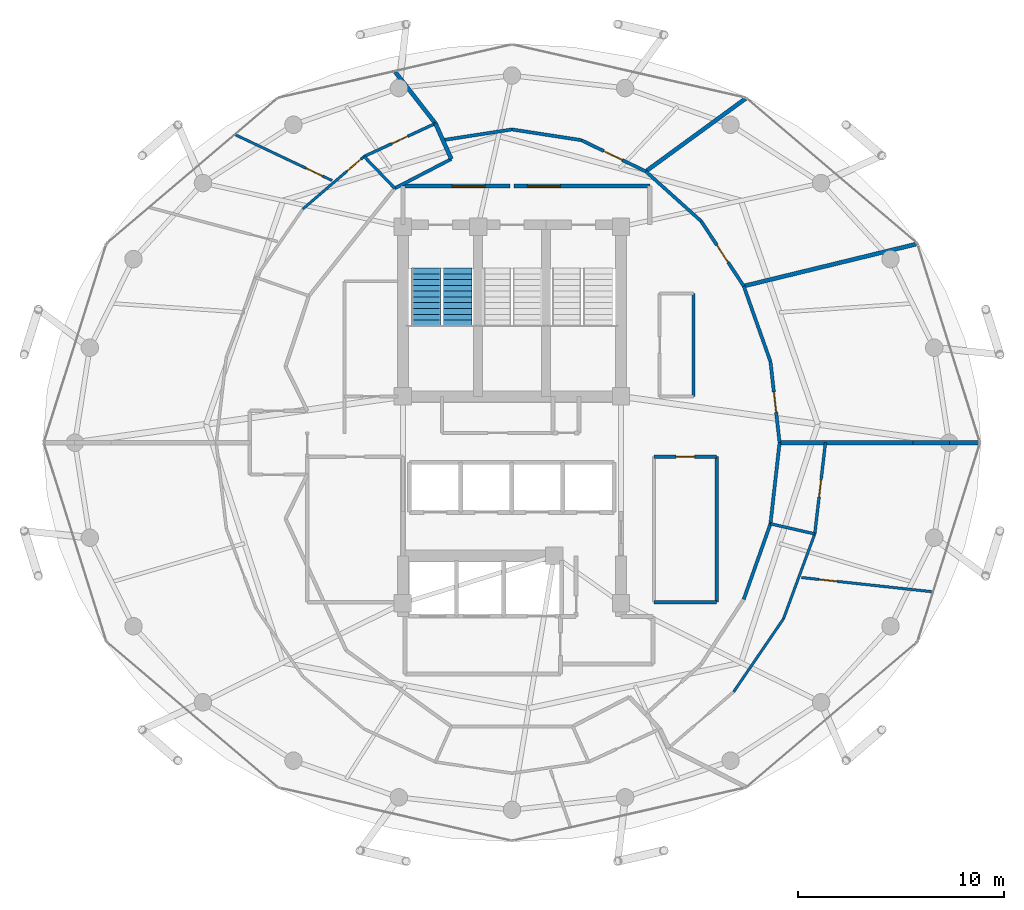
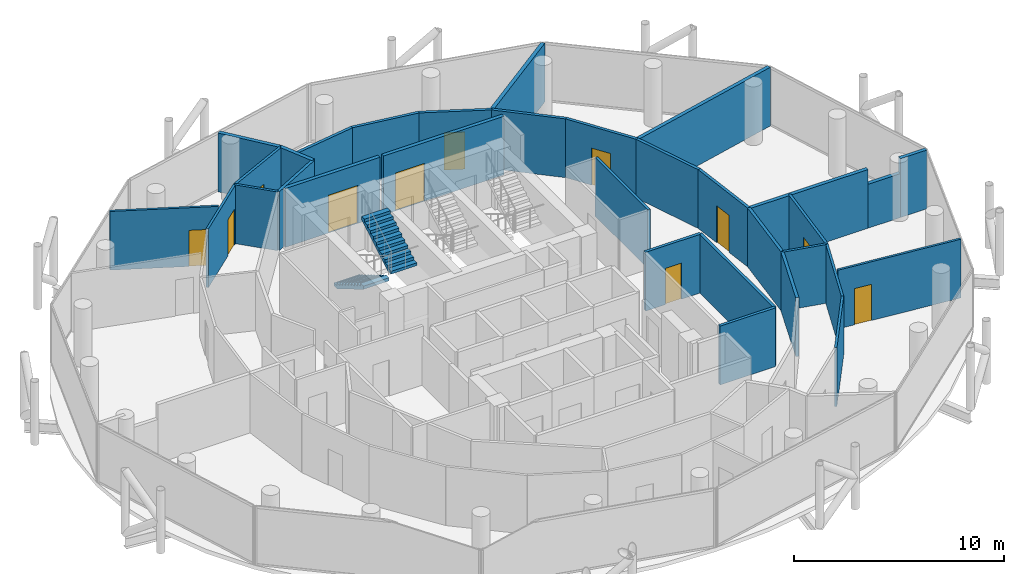
# One storey, part 25 of 27: 32 walls, 11 doors, 2 stair flights, 11 openings, 1 element without a shape of its own.
"""IFC4 building model written with IfcOpenShell, lengths in metres."""

from ifc_helpers import new_model, si_unit, direction, frame, frame_2d, origin, place, context, subcontext, project, spatial, polyline, rectangle, outline, extrude, material, layer, layer_set, type_object, element, fill, aggregate, save


model = new_model("IFC4")

# Units and contexts
model_context = context("Model", 3, precision=1e-05, world=origin(), true_north=direction((0.0, 1.0)))
body_context = subcontext(model_context, "Body", "Model", "MODEL_VIEW")
ifc_project = project(units=[si_unit("LENGTHUNIT", "METRE"), si_unit("AREAUNIT", "SQUARE_METRE"), si_unit("VOLUMEUNIT", "CUBIC_METRE"), si_unit("PLANEANGLEUNIT", "RADIAN"), si_unit("MASSUNIT", "GRAM", prefix="KILO")], contexts=[model_context])

# Site, building, storey
site_placement = place(None, origin())
site = spatial("IfcSite", under=ifc_project, at=site_placement, CompositionType="ELEMENT")
building_placement = place(site_placement, origin())
building = spatial("IfcBuilding", under=site, at=building_placement, Name="Nuhasar Tower", CompositionType="ELEMENT")
storey_placement = place(building_placement, frame((0.0, 0.0, 226.39990234375)))
storey = spatial("IfcBuildingStorey", under=building, at=storey_placement, Name="L55", CompositionType="ELEMENT", Elevation=226.39990234375)

# Walls
ifc_material_1 = material(Name="Gypsum Board", Category="gypsum")
ifc_layer_1 = layer(ifc_material_1, 0.159912109375)
ifc_layer_set_1 = layer_set([ifc_layer_1], Name="Gypsum Board")
wall_type_1 = type_object("IfcWallType", Name="WL-CORR-160", PredefinedType="PARTITIONING", material=ifc_layer_set_1)
wall_1_placement = place(storey_placement, frame((45.89990234375, 19.050048828125, 0.0), z_axis=(0.0, 0.0, 1.0), x_axis=(1.0, 0.0, 0.0)))
element("IfcWall", 1, at=wall_1_placement, inside=storey, type_object=wall_type_1, Name="L55 Interior Partition RECL-B2-S", PredefinedType="PARTITIONING", context=body_context, shape_type="SweptSolid", body=[
    extrude(rectangle(XDim=3.050048828125, YDim=0.159912109375, at=frame_2d((1.52490234375, 0.0))), origin(), (0.0, 0.0, 1.0), 3.41015625),
])
wall_2_placement = place(storey_placement, frame((48.949951171875, 19.050048828125, 0.0), z_axis=(0.0, 0.0, 1.0), x_axis=(0.0, 1.0, 0.0)))
element("IfcWall", 2, at=wall_2_placement, inside=storey, type_object=wall_type_1, Name="L55 Interior Partition RECL-B2-E", PredefinedType="PARTITIONING", context=body_context, shape_type="SweptSolid", body=[
    extrude(rectangle(XDim=7.070068359375, YDim=0.159912109375, at=frame_2d((3.53515625, 0.0))), origin(), (0.0, 0.0, 1.0), 3.41015625),
])

# Wall, opening, door
wall_3_placement = place(storey_placement, frame((48.949951171875, 26.1201171875, 0.0), z_axis=(0.0, 0.0, 1.0), x_axis=(-1.0, 0.0, 0.0)))
wall_3 = element("IfcWall", 3, at=wall_3_placement, inside=storey, type_object=wall_type_1, Name="L55 Interior Partition RECL-B2-N", PredefinedType="PARTITIONING", context=body_context, shape_type="SweptSolid", body=[
    extrude(rectangle(XDim=3.050048828125, YDim=0.159912109375, at=frame_2d((1.52490234375, 0.0))), origin(), (0.0, 0.0, 1.0), 3.41015625),
])
opening_1_placement = place(wall_3_placement, frame((1.074951171875, 0.0, 0.0)))
opening_1 = element("IfcOpeningElement", 4, at=opening_1_placement, cuts=wall_3, Name="Opening DR-01", PredefinedType="OPENING", context=body_context, shape_type="SweptSolid", body=[
    extrude(rectangle(XDim=0.89990234375, YDim=2.10009765625, at=frame_2d((0.449951171875, 1.050048828125))), frame((0.0, 0.08984375, 0.0), z_axis=(0.0, -1.0, 0.0), x_axis=(1.0, 0.0, 0.0)), (0.0, 0.0, 1.0), 0.179931640625),
])
ifc_material_2 = material(Name="Timber Oak", Category="wood")
door_type_1 = type_object("IfcDoorType", Name="DR-ROOM-900", OperationType="NOTDEFINED", PredefinedType="DOOR", material=ifc_material_2)
door_1_placement = place(opening_1_placement, origin())
door_1 = element("IfcDoor", 5, at=door_1_placement, inside=storey, type_object=door_type_1, Name="L55 Resident Library Door", OperationType="SINGLE_SWING_LEFT", OverallHeight=2.10009765625, OverallWidth=0.89990234375, PredefinedType="DOOR", context=body_context, shape_type="SweptSolid", body=[
    extrude(rectangle(XDim=0.89990234375, YDim=2.10009765625, at=frame_2d((0.449951171875, 1.050048828125))), frame((0.0, 0.02490234375, 0.0), z_axis=(0.0, -1.0, 0.0), x_axis=(1.0, 0.0, 0.0)), (0.0, 0.0, 1.0), 0.050048828125),
])
fill(opening_1, door_1)

# Walls
wall_4_placement = place(storey_placement, frame((50.26708984375, 19.18505859375, 0.0), z_axis=(0.0, 0.0, 1.0), x_axis=(0.333619775429, 0.942707720051, 0.0)))
element("IfcWall", 6, at=wall_4_placement, inside=storey, type_object=wall_type_1, Name="L55 Interior Partition CORR-44", PredefinedType="PARTITIONING", context=body_context, shape_type="SweptSolid", body=[
    extrude(rectangle(XDim=3.89599609375, YDim=0.159912109375, at=frame_2d((1.947998046875, 0.0))), origin(), (0.0, 0.0, 1.0), 3.41015625),
])
wall_5_placement = place(storey_placement, frame((51.56689453125, 22.85791015625, 0.0), z_axis=(0.0, 0.0, 1.0), x_axis=(0.11170133215, 0.993741823813, 0.0)))
element("IfcWall", 7, at=wall_5_placement, inside=storey, type_object=wall_type_1, Name="L55 Interior Partition CORR-46", PredefinedType="PARTITIONING", context=body_context, shape_type="SweptSolid", body=[
    extrude(rectangle(XDim=3.967041015625, YDim=0.159912109375, at=frame_2d((1.9833984375, 0.0))), origin(), (0.0, 0.0, 1.0), 3.41015625),
])

# Wall, opening, door
wall_6_placement = place(storey_placement, frame((51.56689453125, 30.741943359375, 0.0), z_axis=(0.0, 0.0, 1.0), x_axis=(0.111708164027, -0.993741055854, 0.0)))
wall_6 = element("IfcWall", 8, at=wall_6_placement, inside=storey, type_object=wall_type_1, Name="L55 Interior Partition CORR-00", PredefinedType="PARTITIONING", context=body_context, shape_type="SweptSolid", body=[
    extrude(rectangle(XDim=3.966796875, YDim=0.159912109375, at=frame_2d((1.9833984375, 0.0))), origin(), (0.0, 0.0, 1.0), 3.41015625),
])
opening_2_placement = place(wall_6_placement, frame((1.48291015625, 0.0, 0.0)))
opening_2 = element("IfcOpeningElement", 9, at=opening_2_placement, cuts=wall_6, Name="Opening DU-02", PredefinedType="OPENING", context=body_context, shape_type="SweptSolid", body=[
    extrude(rectangle(XDim=1.0, YDim=2.14990234375, at=frame_2d((0.5, 1.074951171875))), frame((0.0, 0.08984375, 0.0), z_axis=(0.0, -1.0, 0.0), x_axis=(1.0, 0.0, 0.0)), (0.0, 0.0, 1.0), 0.179931640625),
])
door_type_2 = type_object("IfcDoorType", Name="DR-FLAT-FD60-1000", OperationType="NOTDEFINED", PredefinedType="DOOR", material=ifc_material_2)
door_2_placement = place(opening_2_placement, origin())
door_2 = element("IfcDoor", 10, at=door_2_placement, inside=storey, type_object=door_type_2, Name="L55 Resident Co-Working Office 1 Entrance Door", OperationType="SINGLE_SWING_RIGHT", OverallHeight=2.14990234375, OverallWidth=1.0, PredefinedType="DOOR", context=body_context, shape_type="SweptSolid", body=[
    extrude(rectangle(XDim=1.0, YDim=2.14990234375, at=frame_2d((0.5, 1.074951171875))), frame((0.0, 0.02490234375, 0.0), z_axis=(0.0, -1.0, 0.0), x_axis=(1.0, 0.0, 0.0)), (0.0, 0.0, 1.0), 0.050048828125),
])
fill(opening_2, door_2)

# Wall
wall_7_placement = place(storey_placement, frame((51.56689453125, 30.741943359375, 0.0), z_axis=(0.0, 0.0, 1.0), x_axis=(-0.333600068518, 0.942714694001, 0.0)))
element("IfcWall", 11, at=wall_7_placement, inside=storey, type_object=wall_type_1, Name="L55 Interior Partition CORR-02", PredefinedType="PARTITIONING", context=body_context, shape_type="SweptSolid", body=[
    extrude(rectangle(XDim=3.896240234375, YDim=0.159912109375, at=frame_2d((1.9482421875, 0.0))), origin(), (0.0, 0.0, 1.0), 3.41015625),
])

# Wall, opening, door
wall_8_placement = place(storey_placement, frame((48.198974609375, 37.569091796875, 0.0), z_axis=(0.0, 0.0, 1.0), x_axis=(0.548335441843, -0.836258478712, 0.0)))
wall_8 = element("IfcWall", 12, at=wall_8_placement, inside=storey, type_object=wall_type_1, Name="L55 Interior Partition CORR-04", PredefinedType="PARTITIONING", context=body_context, shape_type="SweptSolid", body=[
    extrude(rectangle(XDim=3.771728515625, YDim=0.159912109375, at=frame_2d((1.8857421875, 0.0))), origin(), (0.0, 0.0, 1.0), 3.41015625),
])
opening_3_placement = place(wall_8_placement, frame((1.385986328125, 0.0, 0.0)))
opening_3 = element("IfcOpeningElement", 13, at=opening_3_placement, cuts=wall_8, Name="Opening DU-02", PredefinedType="OPENING", context=body_context, shape_type="SweptSolid", body=[
    extrude(rectangle(XDim=1.0, YDim=2.14990234375, at=frame_2d((0.5, 1.074951171875))), frame((0.0, 0.08984375, 0.0), z_axis=(0.0, -1.0, 0.0), x_axis=(1.0, 0.0, 0.0)), (0.0, 0.0, 1.0), 0.179931640625),
])
door_3_placement = place(opening_3_placement, origin())
door_3 = element("IfcDoor", 14, at=door_3_placement, inside=storey, type_object=door_type_2, Name="L55 Resident Executive Office 2 Entrance Door", OperationType="SINGLE_SWING_RIGHT", OverallHeight=2.14990234375, OverallWidth=1.0, PredefinedType="DOOR", context=body_context, shape_type="SweptSolid", body=[
    extrude(rectangle(XDim=1.0, YDim=2.14990234375, at=frame_2d((0.5, 1.074951171875))), frame((0.0, 0.02490234375, 0.0), z_axis=(0.0, -1.0, 0.0), x_axis=(1.0, 0.0, 0.0)), (0.0, 0.0, 1.0), 0.050048828125),
])
fill(opening_3, door_3)

# Wall
wall_9_placement = place(storey_placement, frame((48.198974609375, 37.569091796875, 0.0), z_axis=(0.0, 0.0, 1.0), x_axis=(-0.743813424218, 0.66838730535, 0.0)))
element("IfcWall", 15, at=wall_9_placement, inside=storey, type_object=wall_type_1, Name="L55 Interior Partition CORR-06", PredefinedType="PARTITIONING", context=body_context, shape_type="SweptSolid", body=[
    extrude(rectangle(XDim=3.6220703125, YDim=0.159912109375, at=frame_2d((1.81103515625, 0.0))), origin(), (0.0, 0.0, 1.0), 3.41015625),
])

# Wall, opening, door
wall_10_placement = place(storey_placement, frame((42.366943359375, 41.510986328125, 0.0), z_axis=(0.0, 0.0, 1.0), x_axis=(0.89986240726, -0.436173873588, 0.0)))
wall_10 = element("IfcWall", 16, at=wall_10_placement, inside=storey, type_object=wall_type_1, Name="L55 Interior Partition CORR-08", PredefinedType="PARTITIONING", context=body_context, shape_type="SweptSolid", body=[
    extrude(rectangle(XDim=3.487060546875, YDim=0.159912109375, at=frame_2d((1.74365234375, 0.0))), origin(), (0.0, 0.0, 1.0), 3.41015625),
])
opening_4_placement = place(wall_10_placement, frame((1.218017578125, 0.0, 0.0)))
opening_4 = element("IfcOpeningElement", 17, at=opening_4_placement, cuts=wall_10, Name="Opening DU-02", PredefinedType="OPENING", context=body_context, shape_type="SweptSolid", body=[
    extrude(rectangle(XDim=1.0, YDim=2.14990234375, at=frame_2d((0.5, 1.074951171875))), frame((0.0, 0.08984375, 0.0), z_axis=(0.0, -1.0, 0.0), x_axis=(1.0, 0.0, 0.0)), (0.0, 0.0, 1.0), 0.179931640625),
])
door_4_placement = place(opening_4_placement, origin())
door_4 = element("IfcDoor", 18, at=door_4_placement, inside=storey, type_object=door_type_2, Name="L55 Resident Briefing Room Entrance Door", OperationType="SINGLE_SWING_LEFT", OverallHeight=2.14990234375, OverallWidth=1.0, PredefinedType="DOOR", context=body_context, shape_type="SweptSolid", body=[
    extrude(rectangle(XDim=1.0, YDim=2.14990234375, at=frame_2d((0.5, 1.074951171875))), frame((0.0, 0.02490234375, 0.0), z_axis=(0.0, -1.0, 0.0), x_axis=(1.0, 0.0, 0.0)), (0.0, 0.0, 1.0), 0.050048828125),
])
fill(opening_4, door_4)

# Walls
wall_11_placement = place(storey_placement, frame((42.366943359375, 41.510986328125, 0.0), z_axis=(0.0, 0.0, 1.0), x_axis=(-0.988325256122, 0.152358748061, 0.0)))
element("IfcWall", 19, at=wall_11_placement, inside=storey, type_object=wall_type_1, Name="L55 Interior Partition CORR-10", PredefinedType="PARTITIONING", context=body_context, shape_type="SweptSolid", body=[
    extrude(rectangle(XDim=3.40673828125, YDim=0.159912109375, at=frame_2d((1.703369140625, 0.0))), origin(), (0.0, 0.0, 1.0), 3.41015625),
])
wall_12_placement = place(storey_placement, frame((39.0, 42.030029296875, 0.0), z_axis=(0.0, 0.0, 1.0), x_axis=(-0.988328501041, -0.152337697335, 0.0)))
element("IfcWall", 20, at=wall_12_placement, inside=storey, type_object=wall_type_1, Name="L55 Interior Partition CORR-12", PredefinedType="PARTITIONING", context=body_context, shape_type="SweptSolid", body=[
    extrude(rectangle(XDim=3.40087890625, YDim=0.159912109375, at=frame_2d((1.700439453125, 0.0))), origin(), (0.0, 0.0, 1.0), 3.41015625),
])
wall_13_placement = place(storey_placement, frame((36.049072265625, 40.593017578125, 0.0), z_axis=(0.0, 0.0, 1.0), x_axis=(-0.887674575788, -0.460471331898, 0.0)))
element("IfcWall", 21, at=wall_13_placement, inside=storey, type_object=wall_type_1, Name="L55 Interior Partition UWEST-CORE-N1-14", PredefinedType="PARTITIONING", context=body_context, shape_type="SweptSolid", body=[
    extrude(rectangle(XDim=3.096923828125, YDim=0.159912109375, at=frame_2d((1.54833984375, 0.0))), origin(), (0.0, 0.0, 1.0), 3.41015625),
])

# Wall, opening, door
ifc_material_3 = material(Name="Concrete C45/55", Category="concrete")
ifc_layer_2 = layer(ifc_material_3, 0.199951171875)
ifc_layer_set_2 = layer_set([ifc_layer_2], Name="Concrete C45/55")
wall_type_2 = type_object("IfcWallType", Name="WL-LOBBY-200", PredefinedType="SOLIDWALL", material=ifc_layer_set_2)
wall_14_placement = place(storey_placement, frame((38.89990234375, 39.280029296875, 0.0), z_axis=(0.0, 0.0, 1.0), x_axis=(-1.0, 0.0, 0.0)))
wall_14 = element("IfcWall", 22, at=wall_14_placement, inside=storey, type_object=wall_type_2, Name="L55 Interior Partition NSL-N1", PredefinedType="SOLIDWALL", context=body_context, shape_type="SweptSolid", body=[
    extrude(rectangle(XDim=5.199951171875, YDim=0.199951171875, at=frame_2d((2.60009765625, 0.0))), origin(), (0.0, 0.0, 1.0), 3.41015625),
])
opening_5_placement = place(wall_14_placement, frame((1.216064453125, 0.0, 0.0)))
opening_5 = element("IfcOpeningElement", 23, at=opening_5_placement, cuts=wall_14, Name="Opening DC-01", PredefinedType="OPENING", context=body_context, shape_type="SweptSolid", body=[
    extrude(rectangle(XDim=1.60009765625, YDim=2.199951171875, at=frame_2d((0.800048828125, 1.10009765625))), frame((0.0, 0.10986328125, 0.0), z_axis=(0.0, -1.0, 0.0), x_axis=(1.0, 0.0, 0.0)), (0.0, 0.0, 1.0), 0.219970703125),
])
ifc_material_4 = material(Name="Steel S355", Category="steel")
door_type_3 = type_object("IfcDoorType", Name="DR-CORR-FD60-1600", OperationType="DOUBLE_DOOR_SINGLE_SWING", PredefinedType="DOOR", material=ifc_material_4)
door_5_placement = place(opening_5_placement, origin())
door_5 = element("IfcDoor", 24, at=door_5_placement, inside=storey, type_object=door_type_3, Name="L55 North Stair Lobby West Door", OperationType="DOUBLE_DOOR_SINGLE_SWING", OverallHeight=2.199951171875, OverallWidth=1.60009765625, PredefinedType="DOOR", context=body_context, shape_type="SweptSolid", body=[
    extrude(rectangle(XDim=1.60009765625, YDim=2.199951171875, at=frame_2d((0.800048828125, 1.10009765625))), frame((0.0, 0.02490234375, 0.0), z_axis=(0.0, -1.0, 0.0), x_axis=(1.0, 0.0, 0.0)), (0.0, 0.0, 1.0), 0.050048828125),
])
fill(opening_5, door_5)

wall_15_placement = place(storey_placement, frame((45.699951171875, 39.280029296875, 0.0), z_axis=(0.0, 0.0, 1.0), x_axis=(-1.0, 0.0, 0.0)))
wall_15 = element("IfcWall", 25, at=wall_15_placement, inside=storey, type_object=wall_type_2, Name="L55 Interior Partition NSL-N2", PredefinedType="SOLIDWALL", context=body_context, shape_type="SweptSolid", body=[
    extrude(rectangle(XDim=6.599853515625, YDim=0.199951171875, at=frame_2d((3.2998046875, 0.0))), origin(), (0.0, 0.0, 1.0), 3.41015625),
])
opening_6_placement = place(wall_15_placement, frame((4.35009765625, 0.0, 0.0)))
opening_6 = element("IfcOpeningElement", 26, at=opening_6_placement, cuts=wall_15, Name="Opening DC-01", PredefinedType="OPENING", context=body_context, shape_type="SweptSolid", body=[
    extrude(rectangle(XDim=1.60009765625, YDim=2.199951171875, at=frame_2d((0.800048828125, 1.10009765625))), frame((0.0, 0.10986328125, 0.0), z_axis=(0.0, -1.0, 0.0), x_axis=(1.0, 0.0, 0.0)), (0.0, 0.0, 1.0), 0.219970703125),
])
door_6_placement = place(opening_6_placement, origin())
door_6 = element("IfcDoor", 27, at=door_6_placement, inside=storey, type_object=door_type_3, Name="L55 North Stair Lobby East Door", OperationType="DOUBLE_DOOR_SINGLE_SWING", OverallHeight=2.199951171875, OverallWidth=1.60009765625, PredefinedType="DOOR", context=body_context, shape_type="SweptSolid", body=[
    extrude(rectangle(XDim=1.60009765625, YDim=2.199951171875, at=frame_2d((0.800048828125, 1.10009765625))), frame((0.0, 0.02490234375, 0.0), z_axis=(0.0, -1.0, 0.0), x_axis=(1.0, 0.0, 0.0)), (0.0, 0.0, 1.0), 0.050048828125),
])
fill(opening_6, door_6)

# Walls
ifc_layer_3 = layer(ifc_material_1, 0.125)
ifc_layer_set_3 = layer_set([ifc_layer_3], Name="Gypsum Board")
wall_type_3 = type_object("IfcWallType", Name="WL-PART-125", PredefinedType="PARTITIONING", material=ifc_layer_set_3)
wall_16_placement = place(storey_placement, frame((49.77587890625, 14.68701171875, 0.0), z_axis=(0.0, 0.0, 1.0), x_axis=(0.563807562119, 0.82590618892, 0.0)))
element("IfcWall", 28, at=wall_16_placement, inside=storey, type_object=wall_type_3, Name="L55 Interior Partition UMID-01-A-42", PredefinedType="PARTITIONING", context=body_context, shape_type="SweptSolid", body=[
    extrude(rectangle(XDim=4.2958984375, YDim=0.125, at=frame_2d((2.14794921875, 0.0))), origin(), (0.0, 0.0, 1.0), 3.41015625),
])
wall_17_placement = place(storey_placement, frame((52.197998046875, 18.235107421875, 0.0), z_axis=(0.0, 0.0, 1.0), x_axis=(0.345916071667, 0.938265458899, 0.0)))
element("IfcWall", 29, at=wall_17_placement, inside=storey, type_object=wall_type_3, Name="L55 Interior Partition UMID-01-A-44", PredefinedType="PARTITIONING", context=body_context, shape_type="SweptSolid", body=[
    extrude(rectangle(XDim=4.402587890625, YDim=0.125, at=frame_2d((2.201171875, 0.0))), origin(), (0.0, 0.0, 1.0), 3.41015625),
])

# Wall, opening, door
wall_18_placement = place(storey_placement, frame((53.080078125, 20.2451171875, 0.0), z_axis=(0.0, 0.0, 1.0), x_axis=(0.994131981144, -0.108173952811, 0.0)))
wall_18 = element("IfcWall", 30, at=wall_18_placement, inside=storey, type_object=wall_type_3, Name="L55 Interior Partition UOUT-01-B1", PredefinedType="PARTITIONING", context=body_context, shape_type="SweptSolid", body=[
    extrude(rectangle(XDim=6.3984375, YDim=0.125, at=frame_2d((3.19921875, 0.0))), origin(), (0.0, 0.0, 1.0), 3.41015625),
])
opening_7_placement = place(wall_18_placement, frame((0.85009765625, 0.0, 0.0)))
opening_7 = element("IfcOpeningElement", 31, at=opening_7_placement, cuts=wall_18, Name="Opening DR-01", PredefinedType="OPENING", context=body_context, shape_type="SweptSolid", body=[
    extrude(rectangle(XDim=0.89990234375, YDim=2.10009765625, at=frame_2d((0.449951171875, 1.050048828125))), frame((0.0, 0.072509765625, 0.0), z_axis=(0.0, -1.0, 0.0), x_axis=(1.0, 0.0, 0.0)), (0.0, 0.0, 1.0), 0.14501953125),
])
door_7_placement = place(opening_7_placement, origin())
door_7 = element("IfcDoor", 32, at=door_7_placement, inside=storey, type_object=door_type_1, Name="L55 U01 Bedroom Door", OperationType="SINGLE_SWING_LEFT", OverallHeight=2.10009765625, OverallWidth=0.89990234375, PredefinedType="DOOR", context=body_context, shape_type="SweptSolid", body=[
    extrude(rectangle(XDim=0.89990234375, YDim=2.10009765625, at=frame_2d((0.449951171875, 1.050048828125))), frame((0.0, 0.02490234375, 0.0), z_axis=(0.0, -1.0, 0.0), x_axis=(1.0, 0.0, 0.0)), (0.0, 0.0, 1.0), 0.050048828125),
])
fill(opening_7, door_7)

wall_19_placement = place(storey_placement, frame((28.83203125, 38.1630859375, 0.0), z_axis=(0.0, 0.0, 1.0), x_axis=(0.759085259689, 0.650991220004, 0.0)))
wall_19 = element("IfcWall", 33, at=wall_19_placement, inside=storey, type_object=wall_type_3, Name="L55 Interior Partition USM-1-K-16", PredefinedType="PARTITIONING", context=body_context, shape_type="SweptSolid", body=[
    extrude(rectangle(XDim=3.923095703125, YDim=0.125, at=frame_2d((1.96142578125, 0.0))), origin(), (0.0, 0.0, 1.0), 3.41015625),
])
opening_8_placement = place(wall_19_placement, frame((2.822998046875, 0.0, 0.0)))
opening_8 = element("IfcOpeningElement", 34, at=opening_8_placement, cuts=wall_19, Name="Opening DR-01", PredefinedType="OPENING", context=body_context, shape_type="SweptSolid", body=[
    extrude(rectangle(XDim=0.89990234375, YDim=2.10009765625, at=frame_2d((0.449951171875, 1.050048828125))), frame((0.0, 0.072509765625, 0.0), z_axis=(0.0, -1.0, 0.0), x_axis=(1.0, 0.0, 0.0)), (0.0, 0.0, 1.0), 0.14501953125),
])
door_8_placement = place(opening_8_placement, origin())
door_8 = element("IfcDoor", 35, at=door_8_placement, inside=storey, type_object=door_type_1, Name="L55 North-West Sky Home Kitchen Door", OperationType="SINGLE_SWING_RIGHT", OverallHeight=2.10009765625, OverallWidth=0.89990234375, PredefinedType="DOOR", context=body_context, shape_type="SweptSolid", body=[
    extrude(rectangle(XDim=0.89990234375, YDim=2.10009765625, at=frame_2d((0.449951171875, 1.050048828125))), frame((0.0, 0.02490234375, 0.0), z_axis=(0.0, -1.0, 0.0), x_axis=(1.0, 0.0, 0.0)), (0.0, 0.0, 1.0), 0.050048828125),
])
fill(opening_8, door_8)

wall_20_placement = place(storey_placement, frame((30.24609375, 39.549072265625, 0.0), z_axis=(0.0, 0.0, 1.0), x_axis=(-0.903897878918, 0.427748319094, 0.0)))
wall_20 = element("IfcWall", 36, at=wall_20_placement, inside=storey, type_object=wall_type_3, Name="L55 Interior Partition USO-1-B1", PredefinedType="PARTITIONING", context=body_context, shape_type="SweptSolid", body=[
    extrude(rectangle(XDim=5.185302734375, YDim=0.125, at=frame_2d((2.5927734375, 0.0))), origin(), (0.0, 0.0, 1.0), 3.41015625),
])
opening_9_placement = place(wall_20_placement, frame((0.5029296875, 0.0, 0.0)))
opening_9 = element("IfcOpeningElement", 37, at=opening_9_placement, cuts=wall_20, Name="Opening DR-01", PredefinedType="OPENING", context=body_context, shape_type="SweptSolid", body=[
    extrude(rectangle(XDim=0.89990234375, YDim=2.10009765625, at=frame_2d((0.449951171875, 1.050048828125))), frame((0.0, 0.072509765625, 0.0), z_axis=(0.0, -1.0, 0.0), x_axis=(1.0, 0.0, 0.0)), (0.0, 0.0, 1.0), 0.14501953125),
])
door_9_placement = place(opening_9_placement, origin())
door_9 = element("IfcDoor", 38, at=door_9_placement, inside=storey, type_object=door_type_1, Name="L55 North-West Sky Home Master Bedroom Door", OperationType="SINGLE_SWING_LEFT", OverallHeight=2.10009765625, OverallWidth=0.89990234375, PredefinedType="DOOR", context=body_context, shape_type="SweptSolid", body=[
    extrude(rectangle(XDim=0.89990234375, YDim=2.10009765625, at=frame_2d((0.449951171875, 1.050048828125))), frame((0.0, 0.02490234375, 0.0), z_axis=(0.0, -1.0, 0.0), x_axis=(1.0, 0.0, 0.0)), (0.0, 0.0, 1.0), 0.050048828125),
])
fill(opening_9, door_9)

# Walls
ifc_material_5 = material(Name="Concrete C40/50 precast", Category="concrete")
ifc_layer_4 = layer(ifc_material_5, 0.199951171875)
ifc_layer_set_4 = layer_set([ifc_layer_4], Name="Concrete C40/50 precast")
wall_type_4 = type_object("IfcWallType", Name="WL-UNIT-200", PredefinedType="PARTITIONING", material=ifc_layer_set_4)
wall_21_placement = place(storey_placement, frame((36.049072265625, 40.593017578125, 0.0), z_axis=(0.0, 0.0, 1.0), x_axis=(-0.407262922325, 0.913310961338, 0.0)))
element("IfcWall", 39, at=wall_21_placement, inside=storey, type_object=wall_type_4, Name="L55 Interior Partition URAD-14-NW-S1", PredefinedType="PARTITIONING", context=body_context, shape_type="SweptSolid", body=[
    extrude(rectangle(XDim=1.89306640625, YDim=0.199951171875, at=frame_2d((0.946533203125, 0.0))), origin(), (0.0, 0.0, 1.0), 3.41015625),
])
wall_22_placement = place(storey_placement, frame((35.278076171875, 42.322021484375, 0.0), z_axis=(0.0, 0.0, 1.0), x_axis=(-0.615410344966, 0.788206893721, 0.0)))
element("IfcWall", 40, at=wall_22_placement, inside=storey, type_object=wall_type_4, Name="L55 Interior Partition URAD-14-NW-S2", PredefinedType="PARTITIONING", context=body_context, shape_type="SweptSolid", body=[
    extrude(rectangle(XDim=3.18310546875, YDim=0.199951171875, at=frame_2d((1.591552734375, 0.0))), origin(), (0.0, 0.0, 1.0), 3.41015625),
])
wall_23_placement = place(storey_placement, frame((52.010009765625, 26.800048828125, 0.0), z_axis=(0.0, 0.0, 1.0), x_axis=(1.0, 0.0, 0.0)))
element("IfcWall", 41, at=wall_23_placement, inside=storey, type_object=wall_type_4, Name="L55 Interior Partition URAD-00", PredefinedType="PARTITIONING", context=body_context, shape_type="SweptSolid", body=[
    extrude(rectangle(XDim=6.486083984375, YDim=0.199951171875, at=frame_2d((3.2431640625, 0.0))), origin(), (0.0, 0.0, 1.0), 3.41015625),
])
wall_24_placement = place(storey_placement, frame((58.49609375, 26.800048828125, 0.0), z_axis=(0.0, 0.0, 1.0), x_axis=(1.0, 0.0, 0.0)))
element("IfcWall", 42, at=wall_24_placement, inside=storey, type_object=wall_type_4, Name="L55 Interior Partition URAD-00", PredefinedType="PARTITIONING", context=body_context, shape_type="SweptSolid", body=[
    extrude(rectangle(XDim=1.767822265625, YDim=0.199951171875, at=frame_2d((0.8837890625, 0.0))), origin(), (0.0, 0.0, 1.0), 2.550048828125),
])
wall_25_placement = place(storey_placement, frame((60.263916015625, 26.800048828125, 0.0), z_axis=(0.0, 0.0, 1.0), x_axis=(1.0, 0.0, 0.0)))
element("IfcWall", 43, at=wall_25_placement, inside=storey, type_object=wall_type_4, Name="L55 Interior Partition URAD-00", PredefinedType="PARTITIONING", context=body_context, shape_type="SweptSolid", body=[
    extrude(rectangle(XDim=1.461181640625, YDim=0.199951171875, at=frame_2d((0.73046875, 0.0))), origin(), (0.0, 0.0, 1.0), 3.41015625),
])
wall_26_placement = place(storey_placement, frame((50.26708984375, 34.4150390625, 0.0), z_axis=(0.0, 0.0, 1.0), x_axis=(0.971654125171, 0.236406981788, 0.0)))
element("IfcWall", 44, at=wall_26_placement, inside=storey, type_object=wall_type_4, Name="L55 Interior Partition URAD-04", PredefinedType="PARTITIONING", context=body_context, shape_type="SweptSolid", body=[
    extrude(rectangle(XDim=8.658203125, YDim=0.199951171875, at=frame_2d((4.3291015625, 0.0))), origin(), (0.0, 0.0, 1.0), 3.41015625),
])
wall_27_placement = place(storey_placement, frame((45.5048828125, 39.989990234375, 0.0), z_axis=(0.0, 0.0, 1.0), x_axis=(0.807730868973, 0.589551391575, 0.0)))
element("IfcWall", 45, at=wall_27_placement, inside=storey, type_object=wall_type_4, Name="L55 Interior Partition URAD-08", PredefinedType="PARTITIONING", context=body_context, shape_type="SweptSolid", body=[
    extrude(rectangle(XDim=6.0146484375, YDim=0.199951171875, at=frame_2d((3.00732421875, 0.0))), origin(), (0.0, 0.0, 1.0), 3.41015625),
])
ifc_layer_5 = layer(ifc_material_5, 0.139892578125)
ifc_layer_set_5 = layer_set([ifc_layer_5], Name="Concrete C40/50 precast")
wall_type_5 = type_object("IfcWallType", Name="WL-WET-140", PredefinedType="PARTITIONING", material=ifc_layer_set_5)
wall_28_placement = place(storey_placement, frame((47.820068359375, 29.050048828125, 0.0), z_axis=(0.0, 0.0, 1.0), x_axis=(0.0, 1.0, 0.0)))
element("IfcWall", 46, at=wall_28_placement, inside=storey, type_object=wall_type_5, Name="L55 Interior Partition K3-NE-E", PredefinedType="PARTITIONING", context=body_context, shape_type="SweptSolid", body=[
    extrude(rectangle(XDim=5.0, YDim=0.139892578125, at=frame_2d((2.5, 0.0))), origin(), (0.0, 0.0, 1.0), 3.41015625),
])

# Wall, opening, door
wall_29_placement = place(storey_placement, frame((54.239990234375, 26.800048828125, 0.0), z_axis=(0.0, 0.0, 1.0), x_axis=(-0.11626375205, -0.993218374759, 0.0)))
wall_29 = element("IfcWall", 47, at=wall_29_placement, inside=storey, type_object=wall_type_5, Name="L55 Interior Partition UMID-01-B-46", PredefinedType="PARTITIONING", context=body_context, shape_type="SweptSolid", body=[
    extrude(rectangle(XDim=4.46435546875, YDim=0.139892578125, at=frame_2d((2.232177734375, 0.0))), origin(), (0.0, 0.0, 1.0), 3.41015625),
])
opening_10_placement = place(wall_29_placement, frame((1.806884765625, 0.0, 0.0)))
opening_10 = element("IfcOpeningElement", 48, at=opening_10_placement, cuts=wall_29, Name="Opening DB-01", PredefinedType="OPENING", context=body_context, shape_type="SweptSolid", body=[
    extrude(rectangle(XDim=0.85009765625, YDim=2.10009765625, at=frame_2d((0.425048828125, 1.050048828125))), frame((0.0, 0.080078125, 0.0), z_axis=(0.0, -1.0, 0.0), x_axis=(1.0, 0.0, 0.0)), (0.0, 0.0, 1.0), 0.159912109375),
])
door_type_4 = type_object("IfcDoorType", Name="DR-BATH-850", OperationType="NOTDEFINED", PredefinedType="DOOR", material=ifc_material_2)
door_10_placement = place(opening_10_placement, origin())
door_10 = element("IfcDoor", 49, at=door_10_placement, inside=storey, type_object=door_type_4, Name="L55 U01 Bathroom Door", OperationType="SINGLE_SWING_RIGHT", OverallHeight=2.10009765625, OverallWidth=0.85009765625, PredefinedType="DOOR", context=body_context, shape_type="SweptSolid", body=[
    extrude(rectangle(XDim=0.85009765625, YDim=2.10009765625, at=frame_2d((0.425048828125, 1.050048828125))), frame((0.0, 0.02490234375, 0.0), z_axis=(0.0, -1.0, 0.0), x_axis=(1.0, 0.0, 0.0)), (0.0, 0.0, 1.0), 0.050048828125),
])
fill(opening_10, door_10)

# Walls
wall_30_placement = place(storey_placement, frame((51.56689453125, 22.85791015625, 0.0), z_axis=(0.0, 0.0, 1.0), x_axis=(0.974898951109, -0.222647782668, 0.0)))
element("IfcWall", 50, at=wall_30_placement, inside=storey, type_object=wall_type_5, Name="L55 Interior Partition UIN-01-K", PredefinedType="PARTITIONING", context=body_context, shape_type="SweptSolid", body=[
    extrude(rectangle(XDim=2.20947265625, YDim=0.139892578125, at=frame_2d((1.104736328125, 0.0))), origin(), (0.0, 0.0, 1.0), 3.41015625),
])
wall_31_placement = place(storey_placement, frame((33.300048828125, 39.1669921875, 0.0), z_axis=(0.0, 0.0, 1.0), x_axis=(-0.693002052722, 0.720935610803, 0.0)))
element("IfcWall", 51, at=wall_31_placement, inside=storey, type_object=wall_type_5, Name="L55 Interior Partition USI-1-BK", PredefinedType="PARTITIONING", context=body_context, shape_type="SweptSolid", body=[
    extrude(rectangle(XDim=2.150146484375, YDim=0.139892578125, at=frame_2d((1.0751953125, 0.0))), origin(), (0.0, 0.0, 1.0), 3.41015625),
])

# Wall, opening, door
wall_32_placement = place(storey_placement, frame((31.81005859375, 40.717041015625, 0.0), z_axis=(0.0, 0.0, 1.0), x_axis=(0.907525084777, 0.419997881543, 0.0)))
wall_32 = element("IfcWall", 52, at=wall_32_placement, inside=storey, type_object=wall_type_5, Name="L55 Interior Partition USM-1-B-14", PredefinedType="PARTITIONING", context=body_context, shape_type="SweptSolid", body=[
    extrude(rectangle(XDim=3.8212890625, YDim=0.139892578125, at=frame_2d((1.91064453125, 0.0))), origin(), (0.0, 0.0, 1.0), 3.41015625),
])
opening_11_placement = place(wall_32_placement, frame((1.486083984375, 0.0, 0.0)))
opening_11 = element("IfcOpeningElement", 53, at=opening_11_placement, cuts=wall_32, Name="Opening DB-01", PredefinedType="OPENING", context=body_context, shape_type="SweptSolid", body=[
    extrude(rectangle(XDim=0.85009765625, YDim=2.10009765625, at=frame_2d((0.425048828125, 1.050048828125))), frame((0.0, 0.080078125, 0.0), z_axis=(0.0, -1.0, 0.0), x_axis=(1.0, 0.0, 0.0)), (0.0, 0.0, 1.0), 0.159912109375),
])
door_11_placement = place(opening_11_placement, origin())
door_11 = element("IfcDoor", 54, at=door_11_placement, inside=storey, type_object=door_type_4, Name="L55 North-West Sky Home En-Suite Door", OperationType="SINGLE_SWING_RIGHT", OverallHeight=2.10009765625, OverallWidth=0.85009765625, PredefinedType="DOOR", context=body_context, shape_type="SweptSolid", body=[
    extrude(rectangle(XDim=0.85009765625, YDim=2.10009765625, at=frame_2d((0.425048828125, 1.050048828125))), frame((0.0, 0.02490234375, 0.0), z_axis=(0.0, -1.0, 0.0), x_axis=(1.0, 0.0, 0.0)), (0.0, 0.0, 1.0), 0.050048828125),
])
fill(opening_11, door_11)

# Stair, stair flights
stair_type = type_object("IfcStairType", Name="STR-ST-01-2F-22R-1659", PredefinedType="HALF_TURN_STAIR", material=ifc_material_3)
stair_placement = place(storey_placement, origin())
stair = element("IfcStair", 55, at=stair_placement, inside=storey, type_object=stair_type, Name="L55 Exit Stair ST-01", PredefinedType="HALF_TURN_STAIR")
stair_flight_type = type_object("IfcStairFlightType", Name="SFL-ST-01-11R-1659", PredefinedType="STRAIGHT", material=ifc_material_3)
stair_flight_1_placement = place(storey_placement, frame((34.830078125, 35.284912109375, 0.0), z_axis=(0.0, 0.0, 1.0), x_axis=(0.0, -1.0, 0.0)))
stair_flight_1 = element("IfcStairFlight", 56, at=stair_flight_1_placement, type_object=stair_flight_type, Name="ST-01 flight 1", NumberOfRisers=11, NumberOfTreads=10, PredefinedType="STRAIGHT", RiserHeight=0.165909, TreadLength=0.28, context=body_context, shape_type="SweptSolid", body=[
    extrude(outline(polyline([(0.0, 0.0), (0.0, 0.166015625), (0.280029296875, 0.166015625), (0.280029296875, 0.331787109375), (0.56005859375, 0.331787109375), (0.56005859375, 0.497802734375), (0.840087890625, 0.497802734375), (0.840087890625, 0.66357421875), (1.1201171875, 0.66357421875), (1.1201171875, 0.82958984375), (1.39990234375, 0.82958984375), (1.39990234375, 0.995361328125), (1.679931640625, 0.995361328125), (1.679931640625, 1.161376953125), (1.9599609375, 1.161376953125), (1.9599609375, 1.327392578125), (2.239990234375, 1.327392578125), (2.239990234375, 1.4931640625), (2.52001953125, 1.4931640625), (2.52001953125, 1.6591796875), (2.800048828125, 1.6591796875), (2.800048828125, 1.824951171875), (2.800048828125, 1.47314453125), (0.313720703125, 0.0), (0.0, 0.0)])), frame((0.0, 0.7099609375, 0.0), z_axis=(0.0, -1.0, 0.0), x_axis=(1.0, 0.0, 0.0)), (0.0, 0.0, 1.0), 1.419921875),
])
stair_flight_2_placement = place(storey_placement, frame((36.35009765625, 32.485107421875, 1.8251953125), z_axis=(0.0, 0.0, 1.0), x_axis=(0.0, 1.0, 0.0)))
stair_flight_2 = element("IfcStairFlight", 57, at=stair_flight_2_placement, type_object=stair_flight_type, Name="ST-01 flight 2", NumberOfRisers=11, NumberOfTreads=10, PredefinedType="STRAIGHT", RiserHeight=0.165909, TreadLength=0.28, context=body_context, shape_type="SweptSolid", body=[
    extrude(outline(polyline([(0.0, 0.0), (0.0, 0.166015625), (0.280029296875, 0.166015625), (0.280029296875, 0.331787109375), (0.56005859375, 0.331787109375), (0.56005859375, 0.497802734375), (0.840087890625, 0.497802734375), (0.840087890625, 0.66357421875), (1.1201171875, 0.66357421875), (1.1201171875, 0.82958984375), (1.39990234375, 0.82958984375), (1.39990234375, 0.995361328125), (1.679931640625, 0.995361328125), (1.679931640625, 1.161376953125), (1.9599609375, 1.161376953125), (1.9599609375, 1.327392578125), (2.239990234375, 1.327392578125), (2.239990234375, 1.4931640625), (2.52001953125, 1.4931640625), (2.52001953125, 1.6591796875), (2.800048828125, 1.6591796875), (2.800048828125, 1.824951171875), (2.800048828125, 1.47314453125), (0.313720703125, 0.0), (0.0, 0.0)])), frame((0.0, 0.7099609375, 0.0), z_axis=(0.0, -1.0, 0.0), x_axis=(1.0, 0.0, 0.0)), (0.0, 0.0, 1.0), 1.419921875),
])
aggregate(stair, [stair_flight_1, stair_flight_2])

save(model, "model.ifc")
